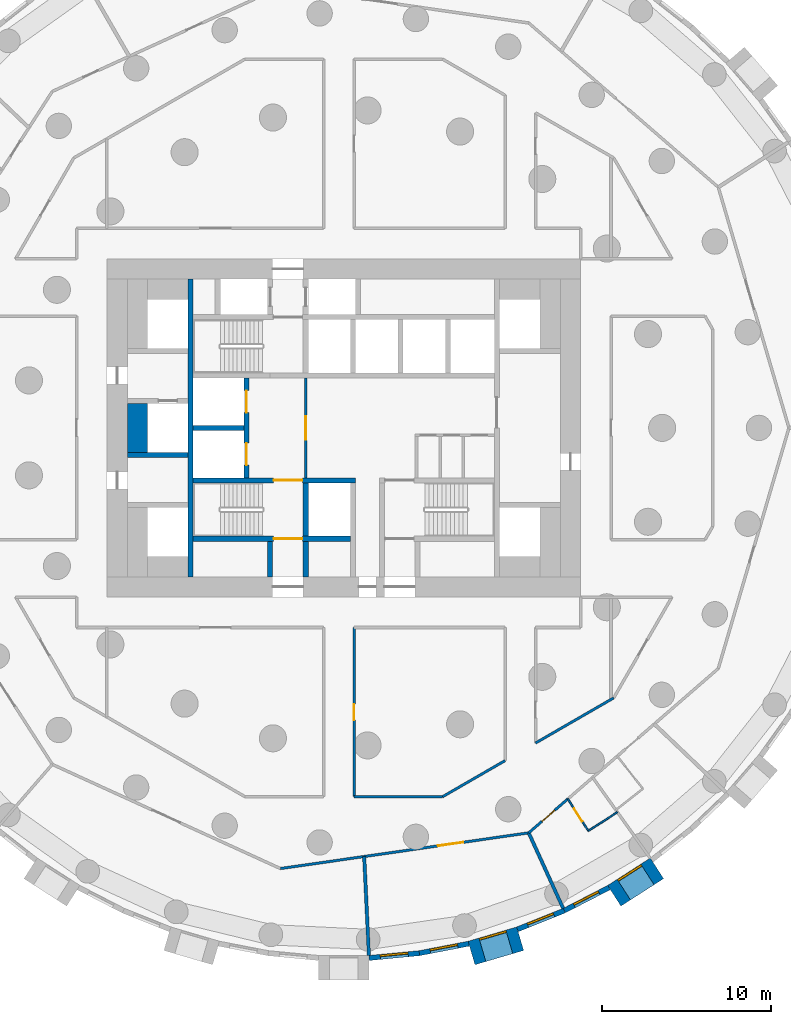
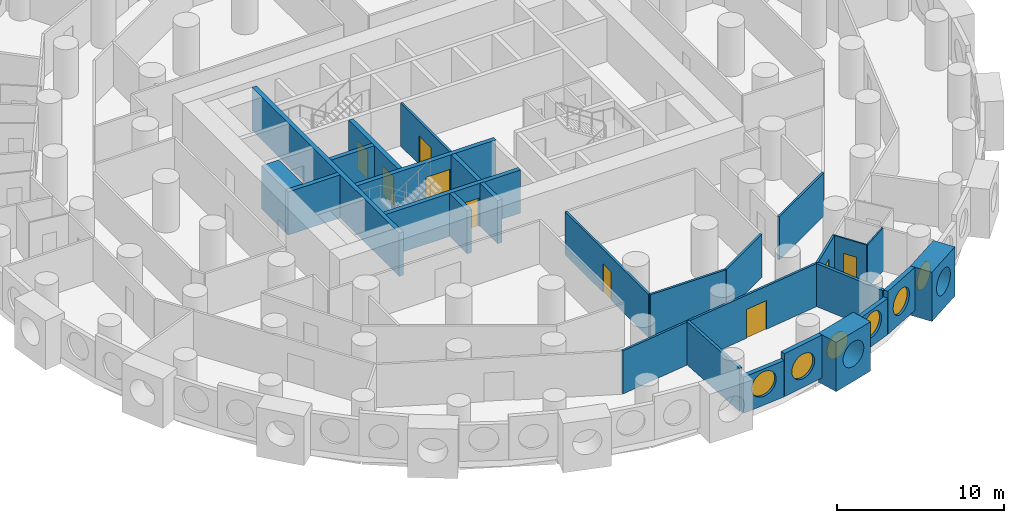
# One storey, part 4 of 11: 27 walls, 9 doors, 6 windows, 15 openings.
"""IFC4 building model written with IfcOpenShell, lengths in metres."""

from ifc_helpers import new_model, si_unit, direction, frame, frame_2d, origin, origin_2d, place, context, subcontext, project, spatial, rectangle, circle, extrude, material, layer, layer_set, type_object, element, fill, save


model = new_model("IFC4")

# Units and contexts
model_context = context("Model", 3, precision=1e-05, world=origin(), true_north=direction((0.0, 1.0)))
body_context = subcontext(model_context, "Body", "Model", "MODEL_VIEW")
ifc_project = project(units=[si_unit("LENGTHUNIT", "METRE"), si_unit("AREAUNIT", "SQUARE_METRE"), si_unit("VOLUMEUNIT", "CUBIC_METRE"), si_unit("PLANEANGLEUNIT", "RADIAN"), si_unit("MASSUNIT", "GRAM", prefix="KILO")], contexts=[model_context])

# Site, building, storey
site_placement = place(None, origin())
site = spatial("IfcSite", under=ifc_project, at=site_placement, CompositionType="ELEMENT")
building_placement = place(site_placement, origin())
building = spatial("IfcBuilding", under=site, at=building_placement, Name="Tracery Tower", CompositionType="ELEMENT")
storey_placement = place(building_placement, frame((0.0, 0.0, 60.60009765625)))
storey = spatial("IfcBuildingStorey", under=building, at=storey_placement, Name="L14", CompositionType="ELEMENT", Elevation=60.60009765625)

# Wall, opening, door
ifc_material_1 = material(Name="Plasterboard on steel studs", Category="steel")
ifc_layer_1 = layer(ifc_material_1, 0.14990234375)
ifc_layer_set_1 = layer_set([ifc_layer_1], Name="Core lobby partition 150")
wall_type_1 = type_object("IfcWallType", Name="Core lobby partition 150", PredefinedType="SOLIDWALL", material=ifc_layer_set_1)
wall_1_placement = place(storey_placement, frame((-2.25, -2.949951171875, 0.0), z_axis=(0.0, 0.0, 1.0), x_axis=(0.0, 1.0, 0.0)))
wall_1 = element("IfcWall", 1, at=wall_1_placement, inside=storey, type_object=wall_type_1, Name="L14 FF lobby E", PredefinedType="SOLIDWALL", context=body_context, shape_type="SweptSolid", body=[
    extrude(rectangle(XDim=5.89990234375, YDim=0.14990234375, at=frame_2d((2.949951171875, 0.0))), origin(), (0.0, 0.0, 1.0), 3.14990234375),
])
opening_1_placement = place(wall_1_placement, frame((2.25, 0.0, 0.0)))
opening_1 = element("IfcOpeningElement", 2, at=opening_1_placement, cuts=wall_1, Name="Opening KD8", PredefinedType="OPENING", context=body_context, shape_type="SweptSolid", body=[
    extrude(rectangle(XDim=1.39990234375, YDim=2.10009765625, at=frame_2d((0.699951171875, 1.050048828125))), frame((0.0, 0.074951171875, 0.0), z_axis=(0.0, -1.0, 0.0), x_axis=(1.0, 0.0, 0.0)), (0.0, 0.0, 1.0), 0.14990234375),
])
ifc_material_2 = material(Name="Steel fire door", Category="steel")
door_type_1 = type_object("IfcDoorType", Name="Core lobby door 1400 double", OperationType="NOTDEFINED", PredefinedType="DOOR", material=ifc_material_2)
door_1_placement = place(opening_1_placement, origin())
door_1 = element("IfcDoor", 3, at=door_1_placement, inside=storey, type_object=door_type_1, Name="Fire-fighting lobby door", OperationType="DOUBLE_DOOR_SINGLE_SWING", OverallHeight=2.10009765625, OverallWidth=1.39990234375, PredefinedType="DOOR", context=body_context, shape_type="SweptSolid", body=[
    extrude(rectangle(XDim=1.39990234375, YDim=2.10009765625, at=frame_2d((0.699951171875, 1.050048828125))), frame((0.0, 0.02490234375, 0.0), z_axis=(0.0, -1.0, 0.0), x_axis=(1.0, 0.0, 0.0)), (0.0, 0.0, 1.0), 0.050048828125),
])
fill(opening_1, door_1)

# Wall
ifc_material_3 = material(Name="Concrete C60/75", Category="concrete")
ifc_layer_2 = layer(ifc_material_3, 1.199951171875)
ifc_layer_set_2 = layer_set([ifc_layer_2], Name="Core strip wall 1200 C60")
wall_type_2 = type_object("IfcWallType", Name="Core strip wall 1200 C60", PredefinedType="SOLIDWALL", material=ifc_layer_set_2)
wall_2_placement = place(storey_placement, frame((-12.199951171875, -1.449951171875, 0.0), z_axis=(0.0, 0.0, 1.0), x_axis=(0.0, 1.0, 0.0)))
element("IfcWall", 4, at=wall_2_placement, inside=storey, type_object=wall_type_2, Name="L14 wing strip -1 -1.6", PredefinedType="SOLIDWALL", context=body_context, shape_type="SweptSolid", body=[
    extrude(rectangle(XDim=2.89990234375, YDim=1.199951171875, at=frame_2d((1.449951171875, 0.0))), origin(), (0.0, 0.0, 1.0), 3.14990234375),
])

# Wall, opening, window
ifc_material_4 = material(Name="Precast concrete C50/60", Category="concrete")
ifc_layer_3 = layer(ifc_material_4, 1.449951171875)
ifc_layer_set_3 = layer_set([ifc_layer_3], Name="Deep-set bay unit 3000 x 3600, slab edge 450")
wall_type_3 = type_object("IfcWallType", Name="Deep-set bay unit 3000 x 3600, slab edge 450", PredefinedType="ELEMENTEDWALL", material=ifc_layer_set_3)
wall_3_placement = place(storey_placement, frame((7.552001953125, -31.043701171875, -0.4501953125), z_axis=(0.0, 0.0, 1.0), x_axis=(0.959489813418, 0.281743319258, 0.0)))
wall_3 = element("IfcWall", 5, at=wall_3_placement, inside=storey, type_object=wall_type_3, Name="Deep-set bay unit 53 at L14", PredefinedType="ELEMENTEDWALL", context=body_context, shape_type="SweptSolid", body=[
    extrude(rectangle(XDim=3.0, YDim=1.449951171875, at=frame_2d((1.5, 0.0))), origin(), (0.0, 0.0, 1.0), 3.60009765625),
])
opening_2_placement = place(wall_3_placement, frame((1.5, 0.0, 2.0)))
opening_2 = element("IfcOpeningElement", 6, at=opening_2_placement, cuts=wall_3, Name="Opening WN1", PredefinedType="OPENING", context=body_context, shape_type="SweptSolid", body=[
    extrude(circle(Radius=0.9000244140625, at=origin_2d()), frame((0.0, 0.73486328125, 0.0), z_axis=(0.0, -1.0, 0.0), x_axis=(1.0, 0.0, 0.0)), (0.0, 0.0, 1.0), 1.469970703125),
])
ifc_material_5 = material(Name="Aluminium frame with tinted double glazing", Category="aluminium")
window_type = type_object("IfcWindowType", Name="Round window 1800", PartitioningType="SINGLE_PANEL", PredefinedType="WINDOW", material=ifc_material_5)
window_1_placement = place(opening_2_placement, origin())
window_1 = element("IfcWindow", 7, at=window_1_placement, inside=storey, type_object=window_type, Name="Round window 53 at L14", OverallHeight=1.800048828125, OverallWidth=1.800048828125, PartitioningType="SINGLE_PANEL", PredefinedType="WINDOW", context=body_context, shape_type="SweptSolid", body=[
    extrude(circle(Radius=0.9000244140625, at=origin_2d()), frame((0.0, 0.69482421875, 0.0), z_axis=(0.0, -1.0, 0.0), x_axis=(1.0, 0.0, 0.0)), (0.0, 0.0, 1.0), 0.10009765625),
])
fill(opening_2, window_1)

wall_4_placement = place(storey_placement, frame((15.9921875, -27.65869140625, -0.4501953125), z_axis=(0.0, 0.0, 1.0), x_axis=(0.841223422347, 0.540687667415, 0.0)))
wall_4 = element("IfcWall", 8, at=wall_4_placement, inside=storey, type_object=wall_type_3, Name="Deep-set bay unit 56 at L14", PredefinedType="ELEMENTEDWALL", context=body_context, shape_type="SweptSolid", body=[
    extrude(rectangle(XDim=3.0, YDim=1.449951171875, at=frame_2d((1.5, 0.0))), origin(), (0.0, 0.0, 1.0), 3.60009765625),
])
opening_3_placement = place(wall_4_placement, frame((1.5, 0.0, 2.0)))
opening_3 = element("IfcOpeningElement", 9, at=opening_3_placement, cuts=wall_4, Name="Opening WN1", PredefinedType="OPENING", context=body_context, shape_type="SweptSolid", body=[
    extrude(circle(Radius=0.9000244140625, at=origin_2d()), frame((0.0, 0.73486328125, 0.0), z_axis=(0.0, -1.0, 0.0), x_axis=(1.0, 0.0, 0.0)), (0.0, 0.0, 1.0), 1.469970703125),
])
window_2_placement = place(opening_3_placement, origin())
window_2 = element("IfcWindow", 10, at=window_2_placement, inside=storey, type_object=window_type, Name="Round window 56 at L14", OverallHeight=1.800048828125, OverallWidth=1.800048828125, PartitioningType="SINGLE_PANEL", PredefinedType="WINDOW", context=body_context, shape_type="SweptSolid", body=[
    extrude(circle(Radius=0.9000244140625, at=origin_2d()), frame((0.0, 0.69482421875, 0.0), z_axis=(0.0, -1.0, 0.0), x_axis=(1.0, 0.0, 0.0)), (0.0, 0.0, 1.0), 0.10009765625),
])
fill(opening_3, window_2)

ifc_material_6 = material(Name="Precast concrete C50/60", Category="concrete")
ifc_layer_4 = layer(ifc_material_6, 0.300048828125)
ifc_layer_set_4 = layer_set([ifc_layer_4], Name="Facade panel 3000 x 2650")
wall_type_4 = type_object("IfcWallType", Name="Facade panel 3000 x 2650", PredefinedType="SOLIDWALL", material=ifc_layer_set_4)
wall_5_placement = place(storey_placement, frame((1.498779296875, -31.33837890625, 0.0), z_axis=(0.0, 0.0, 1.0), x_axis=(0.995473351551, 0.095041077185, 0.0)))
wall_5 = element("IfcWall", 11, at=wall_5_placement, inside=storey, type_object=wall_type_4, Name="Facade panel 51 at L14", PredefinedType="SOLIDWALL", context=body_context, shape_type="SweptSolid", body=[
    extrude(rectangle(XDim=2.979736328125, YDim=0.300048828125, at=frame_2d((1.48974609375, 0.0))), origin(), (0.0, 0.0, 1.0), 2.64990234375),
])
opening_4_placement = place(wall_5_placement, frame((1.48974609375, 0.0, 1.5498046875)))
opening_4 = element("IfcOpeningElement", 12, at=opening_4_placement, cuts=wall_5, Name="Opening WN1", PredefinedType="OPENING", context=body_context, shape_type="SweptSolid", body=[
    extrude(circle(Radius=0.9000244140625, at=origin_2d()), frame((0.0, 0.159912109375, 0.0), z_axis=(0.0, -1.0, 0.0), x_axis=(1.0, 0.0, 0.0)), (0.0, 0.0, 1.0), 0.320068359375),
])
window_3_placement = place(opening_4_placement, origin())
window_3 = element("IfcWindow", 13, at=window_3_placement, inside=storey, type_object=window_type, Name="Round window 51 at L14", OverallHeight=1.800048828125, OverallWidth=1.800048828125, PartitioningType="SINGLE_PANEL", PredefinedType="WINDOW", context=body_context, shape_type="SweptSolid", body=[
    extrude(circle(Radius=0.9000244140625, at=origin_2d()), frame((0.0, 0.1201171875, 0.0), z_axis=(0.0, -1.0, 0.0), x_axis=(1.0, 0.0, 0.0)), (0.0, 0.0, 1.0), 0.10009765625),
])
fill(opening_4, window_3)

wall_6_placement = place(storey_placement, frame((10.26708984375, -29.646484375, 0.0), z_axis=(0.0, 0.0, 1.0), x_axis=(0.928403213937, 0.371574316054, 0.0)))
wall_6 = element("IfcWall", 14, at=wall_6_placement, inside=storey, type_object=wall_type_4, Name="Facade panel 54 at L14", PredefinedType="SOLIDWALL", context=body_context, shape_type="SweptSolid", body=[
    extrude(rectangle(XDim=2.979736328125, YDim=0.300048828125, at=frame_2d((1.48974609375, 0.0))), origin(), (0.0, 0.0, 1.0), 2.64990234375),
])
opening_5_placement = place(wall_6_placement, frame((1.48974609375, 0.0, 1.5498046875)))
opening_5 = element("IfcOpeningElement", 15, at=opening_5_placement, cuts=wall_6, Name="Opening WN1", PredefinedType="OPENING", context=body_context, shape_type="SweptSolid", body=[
    extrude(circle(Radius=0.9000244140625, at=origin_2d()), frame((0.0, 0.159912109375, 0.0), z_axis=(0.0, -1.0, 0.0), x_axis=(1.0, 0.0, 0.0)), (0.0, 0.0, 1.0), 0.320068359375),
])
window_4_placement = place(opening_5_placement, origin())
window_4 = element("IfcWindow", 16, at=window_4_placement, inside=storey, type_object=window_type, Name="Round window 54 at L14", OverallHeight=1.800048828125, OverallWidth=1.800048828125, PartitioningType="SINGLE_PANEL", PredefinedType="WINDOW", context=body_context, shape_type="SweptSolid", body=[
    extrude(circle(Radius=0.9000244140625, at=origin_2d()), frame((0.0, 0.1201171875, 0.0), z_axis=(0.0, -1.0, 0.0), x_axis=(1.0, 0.0, 0.0)), (0.0, 0.0, 1.0), 0.10009765625),
])
fill(opening_5, window_4)

ifc_material_7 = material(Name="Precast concrete C50/60", Category="concrete")
ifc_layer_5 = layer(ifc_material_7, 0.300048828125)
ifc_layer_set_5 = layer_set([ifc_layer_5], Name="Facade panel 3000 x 3150")
wall_type_5 = type_object("IfcWallType", Name="Facade panel 3000 x 3150", PredefinedType="SOLIDWALL", material=ifc_layer_set_5)
wall_7_placement = place(storey_placement, frame((4.465087890625, -31.05517578125, 0.0), z_axis=(0.0, 0.0, 1.0), x_axis=(0.981924535406, 0.189272836848, 0.0)))
wall_7 = element("IfcWall", 17, at=wall_7_placement, inside=storey, type_object=wall_type_5, Name="Facade panel 52 at L14", PredefinedType="SOLIDWALL", context=body_context, shape_type="SweptSolid", body=[
    extrude(rectangle(XDim=2.979736328125, YDim=0.300048828125, at=frame_2d((1.48974609375, 0.0))), origin(), (0.0, 0.0, 1.0), 3.14990234375),
])
opening_6_placement = place(wall_7_placement, frame((1.48974609375, 0.0, 1.5498046875)))
opening_6 = element("IfcOpeningElement", 18, at=opening_6_placement, cuts=wall_7, Name="Opening WN1", PredefinedType="OPENING", context=body_context, shape_type="SweptSolid", body=[
    extrude(circle(Radius=0.9000244140625, at=origin_2d()), frame((0.0, 0.159912109375, 0.0), z_axis=(0.0, -1.0, 0.0), x_axis=(1.0, 0.0, 0.0)), (0.0, 0.0, 1.0), 0.320068359375),
])
window_5_placement = place(opening_6_placement, origin())
window_5 = element("IfcWindow", 19, at=window_5_placement, inside=storey, type_object=window_type, Name="Round window 52 at L14", OverallHeight=1.800048828125, OverallWidth=1.800048828125, PartitioningType="SINGLE_PANEL", PredefinedType="WINDOW", context=body_context, shape_type="SweptSolid", body=[
    extrude(circle(Radius=0.9000244140625, at=origin_2d()), frame((0.0, 0.1201171875, 0.0), z_axis=(0.0, -1.0, 0.0), x_axis=(1.0, 0.0, 0.0)), (0.0, 0.0, 1.0), 0.10009765625),
])
fill(opening_6, window_5)

wall_8_placement = place(storey_placement, frame((13.033447265625, -28.539306640625, 0.0), z_axis=(0.0, 0.0, 1.0), x_axis=(0.888819853856, 0.458256770153, 0.0)))
wall_8 = element("IfcWall", 20, at=wall_8_placement, inside=storey, type_object=wall_type_5, Name="Facade panel 55 at L14", PredefinedType="SOLIDWALL", context=body_context, shape_type="SweptSolid", body=[
    extrude(rectangle(XDim=2.979736328125, YDim=0.300048828125, at=frame_2d((1.48974609375, 0.0))), origin(), (0.0, 0.0, 1.0), 3.14990234375),
])
opening_7_placement = place(wall_8_placement, frame((1.48974609375, 0.0, 1.5498046875)))
opening_7 = element("IfcOpeningElement", 21, at=opening_7_placement, cuts=wall_8, Name="Opening WN1", PredefinedType="OPENING", context=body_context, shape_type="SweptSolid", body=[
    extrude(circle(Radius=0.9000244140625, at=origin_2d()), frame((0.0, 0.159912109375, 0.0), z_axis=(0.0, -1.0, 0.0), x_axis=(1.0, 0.0, 0.0)), (0.0, 0.0, 1.0), 0.320068359375),
])
window_6_placement = place(opening_7_placement, origin())
window_6 = element("IfcWindow", 22, at=window_6_placement, inside=storey, type_object=window_type, Name="Round window 55 at L14", OverallHeight=1.800048828125, OverallWidth=1.800048828125, PartitioningType="SINGLE_PANEL", PredefinedType="WINDOW", context=body_context, shape_type="SweptSolid", body=[
    extrude(circle(Radius=0.9000244140625, at=origin_2d()), frame((0.0, 0.1201171875, 0.0), z_axis=(0.0, -1.0, 0.0), x_axis=(1.0, 0.0, 0.0)), (0.0, 0.0, 1.0), 0.10009765625),
])
fill(opening_7, window_6)

# Wall, opening, door
ifc_material_8 = material(Name="Plasterboard on steel studs", Category="steel")
ifc_layer_6 = layer(ifc_material_8, 0.10009765625)
ifc_layer_set_6 = layer_set([ifc_layer_6], Name="Partition 100 wet wall")
wall_type_6 = type_object("IfcWallType", Name="Partition 100 wet wall", PredefinedType="PARTITIONING", material=ifc_layer_set_6)
wall_9_placement = place(storey_placement, frame((13.248046875, -21.93505859375, 0.0), z_axis=(0.0, 0.0, 1.0), x_axis=(0.540597960994, -0.841281073464, 0.0)))
wall_9 = element("IfcWall", 23, at=wall_9_placement, inside=storey, type_object=wall_type_6, Name="Wet wall RA4-087", PredefinedType="PARTITIONING", context=body_context, shape_type="SweptSolid", body=[
    extrude(rectangle(XDim=2.24169921875, YDim=0.10009765625, at=frame_2d((1.120849609375, 0.0))), origin(), (0.0, 0.0, 1.0), 3.14990234375),
])
opening_8_placement = place(wall_9_placement, frame((0.6708984375, 0.0, 0.0)))
opening_8 = element("IfcOpeningElement", 24, at=opening_8_placement, cuts=wall_9, Name="Opening RA4-30", PredefinedType="OPENING", context=body_context, shape_type="SweptSolid", body=[
    extrude(rectangle(XDim=0.89990234375, YDim=2.0400390625, at=frame_2d((0.449951171875, 1.02001953125))), frame((0.0, 0.050048828125, 0.0), z_axis=(0.0, -1.0, 0.0), x_axis=(1.0, 0.0, 0.0)), (0.0, 0.0, 1.0), 0.10009765625),
])
ifc_material_9 = material(Name="Timber door leaf", Category="wood")
door_type_2 = type_object("IfcDoorType", Name="Door en-suite 900", OperationType="NOTDEFINED", PredefinedType="DOOR", material=ifc_material_9)
door_2_placement = place(opening_8_placement, origin())
door_2 = element("IfcDoor", 25, at=door_2_placement, inside=storey, type_object=door_type_2, Name="En-suite door RA4-30", OperationType="SINGLE_SWING_RIGHT", OverallHeight=2.0400390625, OverallWidth=0.89990234375, PredefinedType="DOOR", context=body_context, shape_type="SweptSolid", body=[
    extrude(rectangle(XDim=0.89990234375, YDim=2.0400390625, at=frame_2d((0.449951171875, 1.02001953125))), frame((0.0, 0.02490234375, 0.0), z_axis=(0.0, -1.0, 0.0), x_axis=(1.0, 0.0, 0.0)), (0.0, 0.0, 1.0), 0.050048828125),
])
fill(opening_8, door_2)

# Wall
wall_10_placement = place(storey_placement, frame((14.4599609375, -23.821044921875, 0.0), z_axis=(0.0, 0.0, 1.0), x_axis=(0.841135728185, 0.540824081168, 0.0)))
element("IfcWall", 26, at=wall_10_placement, inside=storey, type_object=wall_type_6, Name="Wet wall RA4-088", PredefinedType="PARTITIONING", context=body_context, shape_type="SweptSolid", body=[
    extrude(rectangle(XDim=2.041259765625, YDim=0.10009765625, at=frame_2d((1.0205078125, 0.0))), origin(), (0.0, 0.0, 1.0), 3.14990234375),
])

# Wall, opening, door
ifc_material_10 = material(Name="Plasterboard on steel studs", Category="steel")
ifc_layer_7 = layer(ifc_material_10, 0.14990234375)
ifc_layer_set_7 = layer_set([ifc_layer_7], Name="Partition 150 corridor wall")
wall_type_7 = type_object("IfcWallType", Name="Partition 150 corridor wall", PredefinedType="PARTITIONING", material=ifc_layer_set_7)
wall_11_placement = place(storey_placement, frame((0.60791015625, -21.802001953125, 0.0), z_axis=(0.0, 0.0, 1.0), x_axis=(0.0, 1.0, 0.0)))
wall_11 = element("IfcWall", 27, at=wall_11_placement, inside=storey, type_object=wall_type_7, Name="Corridor wall RA4-052", PredefinedType="PARTITIONING", context=body_context, shape_type="SweptSolid", body=[
    extrude(rectangle(XDim=10.001953125, YDim=0.14990234375, at=frame_2d((5.0009765625, 0.0))), origin(), (0.0, 0.0, 1.0), 3.14990234375),
])
opening_9_placement = place(wall_11_placement, frame((4.52587890625, 0.0, 0.0)))
opening_9 = element("IfcOpeningElement", 28, at=opening_9_placement, cuts=wall_11, Name="Opening RA4-05", PredefinedType="OPENING", context=body_context, shape_type="SweptSolid", body=[
    extrude(rectangle(XDim=0.949951171875, YDim=2.10009765625, at=frame_2d((0.47509765625, 1.050048828125))), frame((0.0, 0.074951171875, 0.0), z_axis=(0.0, -1.0, 0.0), x_axis=(1.0, 0.0, 0.0)), (0.0, 0.0, 1.0), 0.14990234375),
])
ifc_material_11 = material(Name="Timber door leaf", Category="wood")
door_type_3 = type_object("IfcDoorType", Name="Door store 950", OperationType="NOTDEFINED", PredefinedType="DOOR", material=ifc_material_11)
door_3_placement = place(opening_9_placement, origin())
door_3 = element("IfcDoor", 29, at=door_3_placement, inside=storey, type_object=door_type_3, Name="Store door RA4-05", OperationType="SINGLE_SWING_RIGHT", OverallHeight=2.10009765625, OverallWidth=0.949951171875, PredefinedType="DOOR", context=body_context, shape_type="SweptSolid", body=[
    extrude(rectangle(XDim=0.949951171875, YDim=2.10009765625, at=frame_2d((0.47509765625, 1.050048828125))), frame((0.0, 0.02490234375, 0.0), z_axis=(0.0, -1.0, 0.0), x_axis=(1.0, 0.0, 0.0)), (0.0, 0.0, 1.0), 0.050048828125),
])
fill(opening_9, door_3)

# Walls
wall_12_placement = place(storey_placement, frame((0.60791015625, -21.802001953125, 0.0), z_axis=(0.0, 0.0, 1.0), x_axis=(1.0, 0.0, 0.0)))
element("IfcWall", 30, at=wall_12_placement, inside=storey, type_object=wall_type_7, Name="Corridor wall RA4-053", PredefinedType="PARTITIONING", context=body_context, shape_type="SweptSolid", body=[
    extrude(rectangle(XDim=5.234130859375, YDim=0.14990234375, at=frame_2d((2.6171875, 0.0))), origin(), (0.0, 0.0, 1.0), 3.14990234375),
])
wall_13_placement = place(storey_placement, frame((5.842041015625, -21.802001953125, 0.0), z_axis=(0.0, 0.0, 1.0), x_axis=(0.865983505205, 0.500072563448, 0.0)))
element("IfcWall", 31, at=wall_13_placement, inside=storey, type_object=wall_type_7, Name="Corridor wall RA4-054", PredefinedType="PARTITIONING", context=body_context, shape_type="SweptSolid", body=[
    extrude(rectangle(XDim=4.265380859375, YDim=0.14990234375, at=frame_2d((2.1328125, 0.0))), origin(), (0.0, 0.0, 1.0), 3.14990234375),
])
wall_14_placement = place(storey_placement, frame((11.3359375, -18.6298828125, 0.0), z_axis=(0.0, 0.0, 1.0), x_axis=(0.866056911224, 0.499945423543, 0.0)))
element("IfcWall", 32, at=wall_14_placement, inside=storey, type_object=wall_type_7, Name="Corridor wall RA4-057", PredefinedType="PARTITIONING", context=body_context, shape_type="SweptSolid", body=[
    extrude(rectangle(XDim=5.33935546875, YDim=0.14990234375, at=frame_2d((2.669677734375, 0.0))), origin(), (0.0, 0.0, 1.0), 3.14990234375),
])

# Wall, opening, door
wall_15_placement = place(storey_placement, frame((-3.74609375, -26.051025390625, 0.0), z_axis=(0.0, 0.0, 1.0), x_axis=(0.9898137179, 0.142368549395, 0.0)))
wall_15 = element("IfcWall", 33, at=wall_15_placement, inside=storey, type_object=wall_type_7, Name="Corridor wall RA4-058", PredefinedType="PARTITIONING", context=body_context, shape_type="SweptSolid", body=[
    extrude(rectangle(XDim=14.830078125, YDim=0.14990234375, at=frame_2d((7.4150390625, 0.0))), origin(), (0.0, 0.0, 1.0), 3.14990234375),
])
opening_10_placement = place(wall_15_placement, frame((9.4150390625, 0.0, 0.0)))
opening_10 = element("IfcOpeningElement", 34, at=opening_10_placement, cuts=wall_15, Name="Opening RA4-29", PredefinedType="OPENING", context=body_context, shape_type="SweptSolid", body=[
    extrude(rectangle(XDim=1.5, YDim=2.10009765625, at=frame_2d((0.75, 1.050048828125))), frame((0.0, 0.074951171875, 0.0), z_axis=(0.0, -1.0, 0.0), x_axis=(1.0, 0.0, 0.0)), (0.0, 0.0, 1.0), 0.14990234375),
])
ifc_material_12 = material(Name="Timber door leaf", Category="wood")
door_type_4 = type_object("IfcDoorType", Name="Door double kitchen 1500", OperationType="NOTDEFINED", PredefinedType="DOOR", material=ifc_material_12)
door_4_placement = place(opening_10_placement, origin())
door_4 = element("IfcDoor", 35, at=door_4_placement, inside=storey, type_object=door_type_4, Name="Double kitchen door RA4-29", OperationType="DOUBLE_DOOR_SINGLE_SWING", OverallHeight=2.10009765625, OverallWidth=1.5, PredefinedType="DOOR", context=body_context, shape_type="SweptSolid", body=[
    extrude(rectangle(XDim=1.5, YDim=2.10009765625, at=frame_2d((0.75, 1.050048828125))), frame((0.0, 0.02490234375, 0.0), z_axis=(0.0, -1.0, 0.0), x_axis=(1.0, 0.0, 0.0)), (0.0, 0.0, 1.0), 0.050048828125),
])
fill(opening_10, door_4)

wall_16_placement = place(storey_placement, frame((10.93310546875, -23.93994140625, 0.0), z_axis=(0.0, 0.0, 1.0), x_axis=(0.755675945931, 0.654945696025, 0.0)))
wall_16 = element("IfcWall", 36, at=wall_16_placement, inside=storey, type_object=wall_type_7, Name="Corridor wall RA4-060", PredefinedType="PARTITIONING", context=body_context, shape_type="SweptSolid", body=[
    extrude(rectangle(XDim=3.06591796875, YDim=0.14990234375, at=frame_2d((1.532958984375, 0.0))), origin(), (0.0, 0.0, 1.0), 3.14990234375),
])
opening_11_placement = place(wall_16_placement, frame((1.032958984375, 0.0, 0.0)))
opening_11 = element("IfcOpeningElement", 37, at=opening_11_placement, cuts=wall_16, Name="Opening RA4-31", PredefinedType="OPENING", context=body_context, shape_type="SweptSolid", body=[
    extrude(rectangle(XDim=1.0, YDim=2.10009765625, at=frame_2d((0.5, 1.050048828125))), frame((0.0, 0.074951171875, 0.0), z_axis=(0.0, -1.0, 0.0), x_axis=(1.0, 0.0, 0.0)), (0.0, 0.0, 1.0), 0.14990234375),
])
ifc_material_13 = material(Name="Timber door leaf", Category="wood")
door_type_5 = type_object("IfcDoorType", Name="Door unit entrance 1000", OperationType="NOTDEFINED", PredefinedType="DOOR", material=ifc_material_13)
door_5_placement = place(opening_11_placement, origin())
door_5 = element("IfcDoor", 38, at=door_5_placement, inside=storey, type_object=door_type_5, Name="Unit entrance door RA4-31", OperationType="SINGLE_SWING_LEFT", OverallHeight=2.10009765625, OverallWidth=1.0, PredefinedType="DOOR", context=body_context, shape_type="SweptSolid", body=[
    extrude(rectangle(XDim=1.0, YDim=2.10009765625, at=frame_2d((0.5, 1.050048828125))), frame((0.0, 0.02490234375, 0.0), z_axis=(0.0, -1.0, 0.0), x_axis=(1.0, 0.0, 0.0)), (0.0, 0.0, 1.0), 0.050048828125),
])
fill(opening_11, door_5)

# Walls
ifc_material_14 = material(Name="Plasterboard on steel studs", Category="steel")
ifc_layer_8 = layer(ifc_material_14, 0.199951171875)
ifc_layer_set_8 = layer_set([ifc_layer_8], Name="Partition 200 compartment wall")
wall_type_8 = type_object("IfcWallType", Name="Partition 200 compartment wall", PredefinedType="PARTITIONING", material=ifc_layer_set_8)
wall_17_placement = place(storey_placement, frame((1.20703125, -25.339111328125, 0.0), z_axis=(0.0, 0.0, 1.0), x_axis=(0.047648334785, -0.998864173045, 0.0)))
element("IfcWall", 39, at=wall_17_placement, inside=storey, type_object=wall_type_8, Name="Compartment wall RA4-085", PredefinedType="PARTITIONING", context=body_context, shape_type="SweptSolid", body=[
    extrude(rectangle(XDim=5.8564453125, YDim=0.199951171875, at=frame_2d((2.92822265625, 0.0))), origin(), (0.0, 0.0, 1.0), 3.14990234375),
])
wall_18_placement = place(storey_placement, frame((10.93310546875, -23.93994140625, 0.0), z_axis=(0.0, 0.0, 1.0), x_axis=(0.415346954488, -0.909663073559, 0.0)))
element("IfcWall", 40, at=wall_18_placement, inside=storey, type_object=wall_type_8, Name="Compartment wall RA4-086", PredefinedType="PARTITIONING", context=body_context, shape_type="SweptSolid", body=[
    extrude(rectangle(XDim=4.90625, YDim=0.199951171875, at=frame_2d((2.453125, 0.0))), origin(), (0.0, 0.0, 1.0), 3.14990234375),
])
ifc_material_15 = material(Name="Concrete C60/75", Category="concrete")
ifc_layer_9 = layer(ifc_material_15, 0.300048828125)
ifc_layer_set_9 = layer_set([ifc_layer_9], Name="Shaft wall 300 C60")
wall_type_9 = type_object("IfcWallType", Name="Shaft wall 300 C60", PredefinedType="SOLIDWALL", material=ifc_layer_set_9)
wall_19_placement = place(storey_placement, frame((-8.89990234375, 0.0, 0.0), z_axis=(0.0, 0.0, 1.0), x_axis=(1.0, 0.0, 0.0)))
element("IfcWall", 41, at=wall_19_placement, inside=storey, type_object=wall_type_9, Name="L14 FF split", PredefinedType="SOLIDWALL", context=body_context, shape_type="SweptSolid", body=[
    extrude(rectangle(XDim=3.0, YDim=0.300048828125, at=frame_2d((1.5, 0.0))), origin(), (0.0, 0.0, 1.0), 3.14990234375),
])

# Wall, openings, doors
wall_20_placement = place(storey_placement, frame((-5.75, -2.949951171875, 0.0), z_axis=(0.0, 0.0, 1.0), x_axis=(0.0, 1.0, 0.0)))
wall_20 = element("IfcWall", 42, at=wall_20_placement, inside=storey, type_object=wall_type_9, Name="L14 FF doors", PredefinedType="SOLIDWALL", context=body_context, shape_type="SweptSolid", body=[
    extrude(rectangle(XDim=5.89990234375, YDim=0.300048828125, at=frame_2d((2.949951171875, 0.0))), origin(), (0.0, 0.0, 1.0), 3.14990234375),
])
opening_12_placement = place(wall_20_placement, frame((0.75, 0.0, 0.0)))
opening_12 = element("IfcOpeningElement", 43, at=opening_12_placement, cuts=wall_20, Name="Opening KD54", PredefinedType="OPENING", context=body_context, shape_type="SweptSolid", body=[
    extrude(rectangle(XDim=1.300048828125, YDim=2.10009765625, at=frame_2d((0.64990234375, 1.050048828125))), frame((0.0, 0.14990234375, 0.0), z_axis=(0.0, -1.0, 0.0), x_axis=(1.0, 0.0, 0.0)), (0.0, 0.0, 1.0), 0.300048828125),
])
opening_13_placement = place(wall_20_placement, frame((3.85009765625, 0.0, 0.0)))
opening_13 = element("IfcOpeningElement", 44, at=opening_13_placement, cuts=wall_20, Name="Opening KD55", PredefinedType="OPENING", context=body_context, shape_type="SweptSolid", body=[
    extrude(rectangle(XDim=1.300048828125, YDim=2.10009765625, at=frame_2d((0.64990234375, 1.050048828125))), frame((0.0, 0.14990234375, 0.0), z_axis=(0.0, -1.0, 0.0), x_axis=(1.0, 0.0, 0.0)), (0.0, 0.0, 1.0), 0.300048828125),
])
ifc_material_16 = material(Name="Steel fire door", Category="steel")
door_type_6 = type_object("IfcDoorType", Name="Landing door FF 1300", OperationType="NOTDEFINED", PredefinedType="DOOR", material=ifc_material_16)
door_6_placement = place(opening_12_placement, origin())
door_6 = element("IfcDoor", 45, at=door_6_placement, inside=storey, type_object=door_type_6, Name="Landing door FF1", OperationType="SLIDING_TO_LEFT", OverallHeight=2.10009765625, OverallWidth=1.300048828125, PredefinedType="DOOR", context=body_context, shape_type="SweptSolid", body=[
    extrude(rectangle(XDim=1.300048828125, YDim=2.10009765625, at=frame_2d((0.64990234375, 1.050048828125))), frame((0.0, 0.02490234375, 0.0), z_axis=(0.0, -1.0, 0.0), x_axis=(1.0, 0.0, 0.0)), (0.0, 0.0, 1.0), 0.050048828125),
])
fill(opening_12, door_6)
door_7_placement = place(opening_13_placement, origin())
door_7 = element("IfcDoor", 46, at=door_7_placement, inside=storey, type_object=door_type_6, Name="Landing door FF2", OperationType="SLIDING_TO_RIGHT", OverallHeight=2.10009765625, OverallWidth=1.300048828125, PredefinedType="DOOR", context=body_context, shape_type="SweptSolid", body=[
    extrude(rectangle(XDim=1.300048828125, YDim=2.10009765625, at=frame_2d((0.64990234375, 1.050048828125))), frame((0.0, 0.02490234375, 0.0), z_axis=(0.0, -1.0, 0.0), x_axis=(1.0, 0.0, 0.0)), (0.0, 0.0, 1.0), 0.050048828125),
])
fill(opening_13, door_7)

# Walls
wall_21_placement = place(storey_placement, frame((-4.35009765625, -8.800048828125, 0.0), z_axis=(0.0, 0.0, 1.0), x_axis=(0.0, 1.0, 0.0)))
element("IfcWall", 47, at=wall_21_placement, inside=storey, type_object=wall_type_9, Name="L14 band S -4.35", PredefinedType="SOLIDWALL", context=body_context, shape_type="SweptSolid", body=[
    extrude(rectangle(XDim=2.10009765625, YDim=0.300048828125, at=frame_2d((1.050048828125, 0.0))), origin(), (0.0, 0.0, 1.0), 3.14990234375),
])
wall_22_placement = place(storey_placement, frame((-12.800048828125, -1.60009765625, 0.0), z_axis=(0.0, 0.0, 1.0), x_axis=(1.0, 0.0, 0.0)))
element("IfcWall", 48, at=wall_22_placement, inside=storey, type_object=wall_type_9, Name="L14 wing shaft wall -1 -1.60", PredefinedType="SOLIDWALL", context=body_context, shape_type="SweptSolid", body=[
    extrude(rectangle(XDim=3.60009765625, YDim=0.300048828125, at=frame_2d((1.800048828125, 0.0))), origin(), (0.0, 0.0, 1.0), 3.14990234375),
])

# Wall, opening, door
ifc_material_17 = material(Name="Concrete C60/75", Category="concrete")
ifc_layer_10 = layer(ifc_material_17, 0.300048828125)
ifc_layer_set_10 = layer_set([ifc_layer_10], Name="Stair wall 300 C60")
wall_type_10 = type_object("IfcWallType", Name="Stair wall 300 C60", PredefinedType="SOLIDWALL", material=ifc_layer_set_10)
wall_23_placement = place(storey_placement, frame((-8.89990234375, -3.10009765625, 0.0), z_axis=(0.0, 0.0, 1.0), x_axis=(1.0, 0.0, 0.0)))
wall_23 = element("IfcWall", 49, at=wall_23_placement, inside=storey, type_object=wall_type_10, Name="L14 row S", PredefinedType="SOLIDWALL", context=body_context, shape_type="SweptSolid", body=[
    extrude(rectangle(XDim=9.599853515625, YDim=0.300048828125, at=frame_2d((4.7998046875, 0.0))), origin(), (0.0, 0.0, 1.0), 3.14990234375),
])
opening_14_placement = place(wall_23_placement, frame((4.75, 0.0, 0.0)))
opening_14 = element("IfcOpeningElement", 50, at=opening_14_placement, cuts=wall_23, Name="Opening KD3", PredefinedType="OPENING", context=body_context, shape_type="SweptSolid", body=[
    extrude(rectangle(XDim=1.699951171875, YDim=2.10009765625, at=frame_2d((0.85009765625, 1.050048828125))), frame((0.0, 0.14990234375, 0.0), z_axis=(0.0, -1.0, 0.0), x_axis=(1.0, 0.0, 0.0)), (0.0, 0.0, 1.0), 0.300048828125),
])
ifc_material_18 = material(Name="Steel fire door", Category="steel")
door_type_7 = type_object("IfcDoorType", Name="Core stair door 1700 double", OperationType="NOTDEFINED", PredefinedType="DOOR", material=ifc_material_18)
door_8_placement = place(opening_14_placement, origin())
door_8 = element("IfcDoor", 51, at=door_8_placement, inside=storey, type_object=door_type_7, Name="Stair door ST1", OperationType="DOUBLE_DOOR_SINGLE_SWING", OverallHeight=2.10009765625, OverallWidth=1.699951171875, PredefinedType="DOOR", context=body_context, shape_type="SweptSolid", body=[
    extrude(rectangle(XDim=1.699951171875, YDim=2.10009765625, at=frame_2d((0.85009765625, 1.050048828125))), frame((0.0, 0.02490234375, 0.0), z_axis=(0.0, -1.0, 0.0), x_axis=(1.0, 0.0, 0.0)), (0.0, 0.0, 1.0), 0.050048828125),
])
fill(opening_14, door_8)

# Walls
wall_24_placement = place(storey_placement, frame((-2.25, -6.39990234375, 0.0), z_axis=(0.0, 0.0, 1.0), x_axis=(0.0, 1.0, 0.0)))
element("IfcWall", 52, at=wall_24_placement, inside=storey, type_object=wall_type_10, Name="L14 ST1 E", PredefinedType="SOLIDWALL", context=body_context, shape_type="SweptSolid", body=[
    extrude(rectangle(XDim=3.14990234375, YDim=0.300048828125, at=frame_2d((1.574951171875, 0.0))), origin(), (0.0, 0.0, 1.0), 3.14990234375),
])
wall_25_placement = place(storey_placement, frame((-9.050048828125, -8.800048828125, 0.0), z_axis=(0.0, 0.0, 1.0), x_axis=(0.0, 1.0, 0.0)))
element("IfcWall", 53, at=wall_25_placement, inside=storey, type_object=wall_type_10, Name="L14 F wall -9", PredefinedType="SOLIDWALL", context=body_context, shape_type="SweptSolid", body=[
    extrude(rectangle(XDim=17.60009765625, YDim=0.300048828125, at=frame_2d((8.800048828125, 0.0))), origin(), (0.0, 0.0, 1.0), 3.14990234375),
])

# Wall, opening, door
wall_26_placement = place(storey_placement, frame((-8.89990234375, -6.550048828125, 0.0), z_axis=(0.0, 0.0, 1.0), x_axis=(1.0, 0.0, 0.0)))
wall_26 = element("IfcWall", 54, at=wall_26_placement, inside=storey, type_object=wall_type_10, Name="L14 F S W", PredefinedType="SOLIDWALL", context=body_context, shape_type="SweptSolid", body=[
    extrude(rectangle(XDim=9.2998046875, YDim=0.300048828125, at=frame_2d((4.64990234375, 0.0))), origin(), (0.0, 0.0, 1.0), 3.14990234375),
])
opening_15_placement = place(wall_26_placement, frame((4.75, 0.0, 0.0)))
opening_15 = element("IfcOpeningElement", 55, at=opening_15_placement, cuts=wall_26, Name="Opening KD3", PredefinedType="OPENING", context=body_context, shape_type="SweptSolid", body=[
    extrude(rectangle(XDim=1.699951171875, YDim=2.10009765625, at=frame_2d((0.85009765625, 1.050048828125))), frame((0.0, 0.14990234375, 0.0), z_axis=(0.0, -1.0, 0.0), x_axis=(1.0, 0.0, 0.0)), (0.0, 0.0, 1.0), 0.300048828125),
])
door_9_placement = place(opening_15_placement, origin())
door_9 = element("IfcDoor", 56, at=door_9_placement, inside=storey, type_object=door_type_7, Name="Stair door ST1 S", OperationType="DOUBLE_DOOR_SINGLE_SWING", OverallHeight=2.10009765625, OverallWidth=1.699951171875, PredefinedType="DOOR", context=body_context, shape_type="SweptSolid", body=[
    extrude(rectangle(XDim=1.699951171875, YDim=2.10009765625, at=frame_2d((0.85009765625, 1.050048828125))), frame((0.0, 0.02490234375, 0.0), z_axis=(0.0, -1.0, 0.0), x_axis=(1.0, 0.0, 0.0)), (0.0, 0.0, 1.0), 0.050048828125),
])
fill(opening_15, door_9)

# Wall
wall_27_placement = place(storey_placement, frame((-2.25, -8.800048828125, 0.0), z_axis=(0.0, 0.0, 1.0), x_axis=(0.0, 1.0, 0.0)))
element("IfcWall", 57, at=wall_27_placement, inside=storey, type_object=wall_type_10, Name="L14 ST1 E out", PredefinedType="SOLIDWALL", context=body_context, shape_type="SweptSolid", body=[
    extrude(rectangle(XDim=2.10009765625, YDim=0.300048828125, at=frame_2d((1.050048828125, 0.0))), origin(), (0.0, 0.0, 1.0), 3.14990234375),
])

save(model, "model.ifc")
